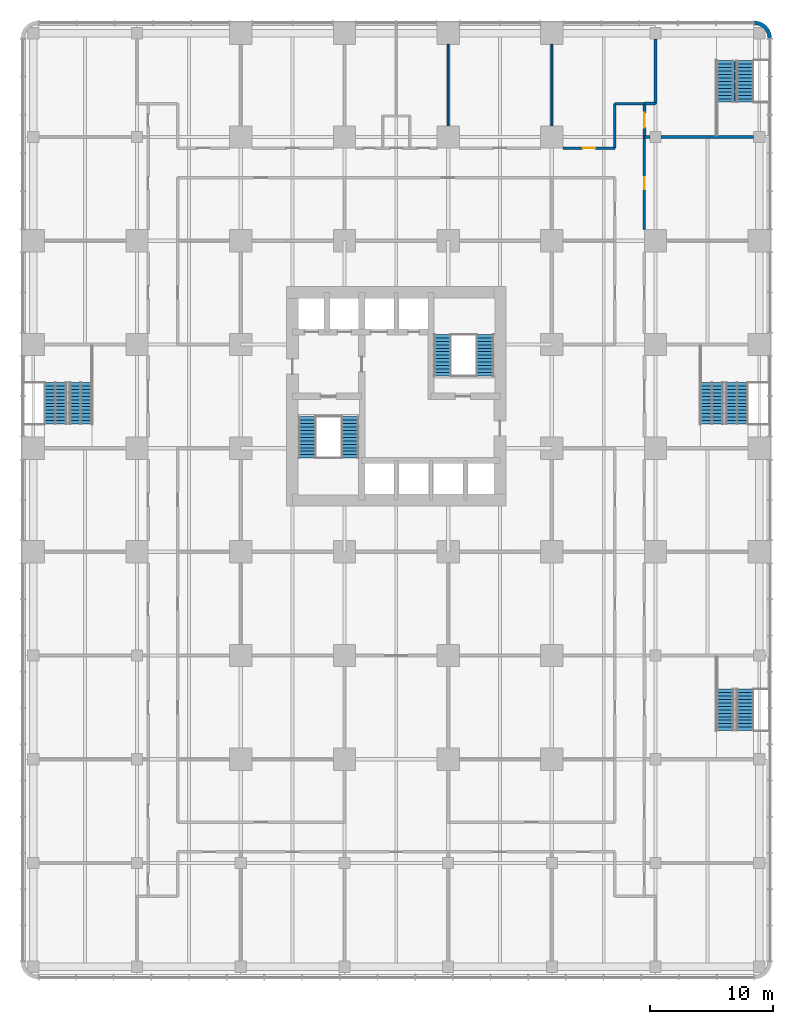
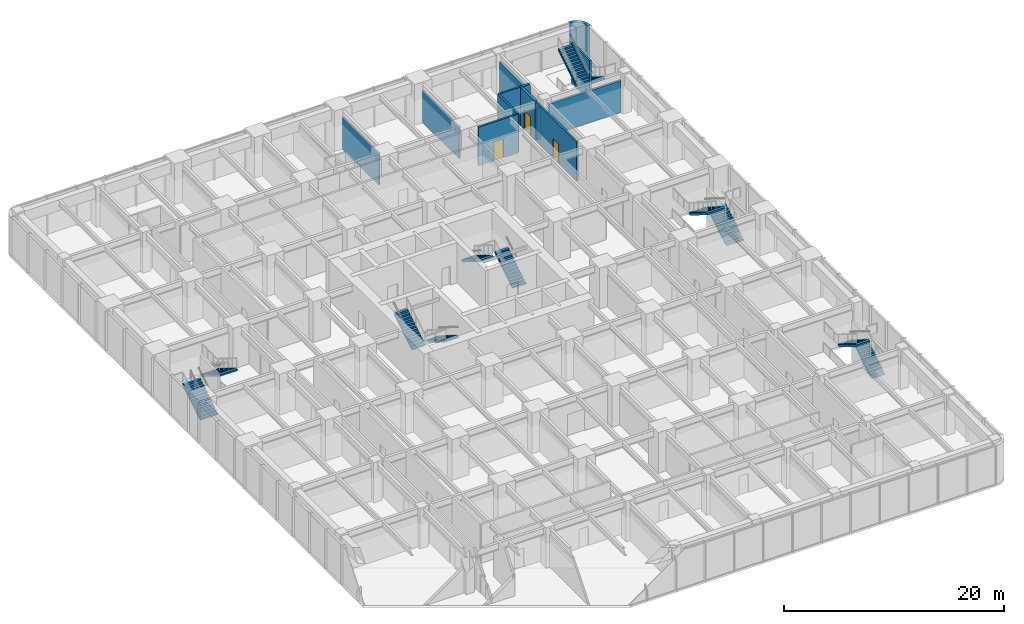
# One storey, part 15 of 19: 13 walls, 12 stair flights, 3 doors, 3 openings, 6 elements without a shape of their own.
"""IFC4 building model written with IfcOpenShell, lengths in metres."""

from ifc_helpers import new_model, si_unit, direction, frame, frame_2d, origin, place, context, subcontext, project, spatial, polyline, rectangle, outline, extrude, material, layer, layer_set, type_object, element, fill, aggregate, save


model = new_model("IFC4")

# Units and contexts
model_context = context("Model", 3, precision=1e-05, world=origin(), true_north=direction((0.0, 1.0)))
body_context = subcontext(model_context, "Body", "Model", "MODEL_VIEW")
ifc_project = project(units=[si_unit("LENGTHUNIT", "METRE"), si_unit("AREAUNIT", "SQUARE_METRE"), si_unit("VOLUMEUNIT", "CUBIC_METRE"), si_unit("PLANEANGLEUNIT", "RADIAN"), si_unit("MASSUNIT", "GRAM", prefix="KILO")], contexts=[model_context])

# Site, building, storey
site_placement = place(None, origin())
site = spatial("IfcSite", under=ifc_project, at=site_placement, CompositionType="ELEMENT")
building_placement = place(site_placement, origin())
building = spatial("IfcBuilding", under=site, at=building_placement, Name="Torre Alcanfor", CompositionType="ELEMENT")
storey_placement = place(building_placement, frame((0.0, 0.0, 6.0)))
storey = spatial("IfcBuildingStorey", under=building, at=storey_placement, Name="L01", CompositionType="ELEMENT", Elevation=6.0)

# Walls
ifc_material_1 = material(Name="Concrete block masonry, hollow blocks NMX-C-404 9 MPa", Category="masonry")
ifc_layer_1 = layer(ifc_material_1, 0.14990234375)
ifc_layer_set_1 = layer_set([ifc_layer_1], Name="Classroom partition 150")
wall_type_1 = type_object("IfcWallType", Name="Classroom partition 150", PredefinedType="PARTITIONING", material=ifc_layer_set_1)
wall_1_placement = place(storey_placement, frame((42.0, 57.89990234375, 0.0), z_axis=(0.0, 0.0, 1.0), x_axis=(0.0, -1.0, 0.0)))
element("IfcWall", 1, at=wall_1_placement, inside=storey, type_object=wall_type_1, Name="Partition L01-21 / L01-25", PredefinedType="PARTITIONING", context=body_context, shape_type="SweptSolid", body=[
    extrude(rectangle(XDim=6.599853515625, YDim=0.14990234375, at=frame_2d((3.2998046875, 0.0))), origin(), (0.0, 0.0, 1.0), 3.543212890625),
])
ifc_material_2 = material(Name="Limestone cladding", Category="masonry")
ifc_layer_2 = layer(ifc_material_2, 0.0400390625, Name="Facing")
ifc_material_3 = material(Name="Ventilated air cavity")
ifc_layer_3 = layer(ifc_material_3, 0.02001953125, ventilated=True, Name="Ventilated joint")
ifc_material_4 = material(Name="Mineral wool insulation", Category="insulation")
ifc_layer_4 = layer(ifc_material_4, 0.10009765625, Name="Insulation")
ifc_material_5 = material(Name="Concrete f'c 35 MPa", Category="concrete")
ifc_layer_5 = layer(ifc_material_5, 0.139892578125, Name="Backing")
ifc_layer_set_2 = layer_set([ifc_layer_2, ifc_layer_3, ifc_layer_4, ifc_layer_5], Name="Rounded corner pier stone-clad 300")
wall_type_2 = type_object("IfcWallType", Name="Rounded corner pier stone-clad 300", PredefinedType="SOLIDWALL", material=ifc_layer_set_2)
wall_2_placement = place(storey_placement, frame((59.647901787, 58.355188981, 0.0), z_axis=(0.0, 0.0, 1.0), x_axis=(0.707106781187, 0.707106781187, 0.0)))
element("IfcWall", 2, at=wall_2_placement, inside=storey, type_object=wall_type_2, Name="Corner pier L01 5", PredefinedType="SOLIDWALL", context=body_context, shape_type="SweptSolid", body=[
    extrude(outline(polyline([(0.13920132652713502, 1.90413906500536), (-0.10075922665872938, 1.7197664960826957), (-0.08677591384717909, 1.7057831832711454), (0.09966825697349269, 1.4627152272382697), (0.20929052407638765, 1.1980680847678162), (0.2464067247490213, 0.9140859912492929), (0.20929052407638762, 0.6301038977307699), (0.09966825697349269, 0.3654567552603164), (-0.08677591384717905, 0.12238879922744068), (-0.10075922665872943, 0.1084054864158903), (0.13920132652713513, -0.07596708250677396), (0.3615532635799362, 0.21405718321427095), (0.5015590251869406, 0.5519009260809882), (0.5492058688411122, 0.914085991249293), (0.5015590251869406, 1.2762710564175979), (0.3615532635799362, 1.614114799284315), (0.13920132652713502, 1.90413906500536)])), origin(), (0.0, 0.0, 1.0), 4.300048828125),
])

# Wall, opening, door
ifc_material_6 = material(Name="Concrete block masonry, hollow blocks NMX-C-404 9 MPa", Category="masonry")
ifc_layer_6 = layer(ifc_material_6, 0.199951171875)
ifc_layer_set_3 = layer_set([ifc_layer_6], Name="School corridor wall 200")
wall_type_3 = type_object("IfcWallType", Name="School corridor wall 200", PredefinedType="PARTITIONING", material=ifc_layer_set_3)
wall_3_placement = place(storey_placement, frame((49.5, 42.89990234375, 0.0), z_axis=(0.0, 0.0, 1.0), x_axis=(0.0, 1.0, 0.0)))
wall_3 = element("IfcWall", 3, at=wall_3_placement, inside=storey, type_object=wall_type_3, Name="Partition L01-19 / L01-CORR", PredefinedType="PARTITIONING", context=body_context, shape_type="SweptSolid", body=[
    extrude(rectangle(XDim=7.5, YDim=0.199951171875, at=frame_2d((3.75, 0.0))), origin(), (0.0, 0.0, 1.0), 4.300048828125),
])
opening_1_placement = place(wall_3_placement, frame((3.25, 0.0, 0.0)))
opening_1 = element("IfcOpeningElement", 4, at=opening_1_placement, cuts=wall_3, Name="Opening D-C1", PredefinedType="OPENING", context=body_context, shape_type="SweptSolid", body=[
    extrude(rectangle(XDim=1.0, YDim=2.10009765625, at=frame_2d((0.5, 1.050048828125))), frame((0.0, 0.10986328125, 0.0), z_axis=(0.0, -1.0, 0.0), x_axis=(1.0, 0.0, 0.0)), (0.0, 0.0, 1.0), 0.219970703125),
])
ifc_material_7 = material(Name="Timber", Category="wood")
door_type_1 = type_object("IfcDoorType", Name="Classroom door 1000x2100", OperationType="SINGLE_SWING_RIGHT", PredefinedType="DOOR", material=ifc_material_7)
door_1_placement = place(opening_1_placement, frame((1.0, 0.0, 0.0), z_axis=(0.0, 0.0, 1.0), x_axis=(-1.0, 0.0, 0.0)))
door_1 = element("IfcDoor", 5, at=door_1_placement, inside=storey, type_object=door_type_1, Name="Door L01-19 classroom", OperationType="SINGLE_SWING_RIGHT", OverallHeight=2.10009765625, OverallWidth=1.0, PredefinedType="DOOR", context=body_context, shape_type="SweptSolid", body=[
    extrude(rectangle(XDim=1.0, YDim=2.10009765625, at=frame_2d((0.5, 1.050048828125))), frame((0.0, 0.025146484375, 0.0), z_axis=(0.0, -1.0, 0.0), x_axis=(1.0, 0.0, 0.0)), (0.0, 0.0, 1.0), 0.050048828125),
])
fill(opening_1, door_1)

# Walls
wall_4_placement = place(storey_placement, frame((49.5, 53.10009765625, 0.0), z_axis=(0.0, 0.0, 1.0), x_axis=(-1.0, 0.0, 0.0)))
element("IfcWall", 6, at=wall_4_placement, inside=storey, type_object=wall_type_3, Name="Partition L01-25 / L01-CORR", PredefinedType="PARTITIONING", context=body_context, shape_type="SweptSolid", body=[
    extrude(rectangle(XDim=2.39990234375, YDim=0.199951171875, at=frame_2d((1.199951171875, 0.0))), origin(), (0.0, 0.0, 1.0), 4.300048828125),
])
wall_5_placement = place(storey_placement, frame((47.10009765625, 53.10009765625, 0.0), z_axis=(0.0, 0.0, 1.0), x_axis=(0.0, -1.0, 0.0)))
element("IfcWall", 7, at=wall_5_placement, inside=storey, type_object=wall_type_3, Name="Partition L01-25 / L01-CORR", PredefinedType="PARTITIONING", context=body_context, shape_type="SweptSolid", body=[
    extrude(rectangle(XDim=3.60009765625, YDim=0.199951171875, at=frame_2d((1.800048828125, 0.0))), origin(), (0.0, 0.0, 1.0), 4.300048828125),
])

# Wall, opening, door
wall_6_placement = place(storey_placement, frame((47.10009765625, 49.5, 0.0), z_axis=(0.0, 0.0, 1.0), x_axis=(-1.0, 0.0, 0.0)))
wall_6 = element("IfcWall", 8, at=wall_6_placement, inside=storey, type_object=wall_type_3, Name="Partition L01-25 / L01-CORR", PredefinedType="PARTITIONING", context=body_context, shape_type="SweptSolid", body=[
    extrude(rectangle(XDim=4.2001953125, YDim=0.199951171875, at=frame_2d((2.10009765625, 0.0))), origin(), (0.0, 0.0, 1.0), 4.300048828125),
])
opening_2_placement = place(wall_6_placement, frame((1.60009765625, 0.0, 0.0)))
opening_2 = element("IfcOpeningElement", 9, at=opening_2_placement, cuts=wall_6, Name="Opening D-C1", PredefinedType="OPENING", context=body_context, shape_type="SweptSolid", body=[
    extrude(rectangle(XDim=1.0, YDim=2.10009765625, at=frame_2d((0.5, 1.050048828125))), frame((0.0, 0.10986328125, 0.0), z_axis=(0.0, -1.0, 0.0), x_axis=(1.0, 0.0, 0.0)), (0.0, 0.0, 1.0), 0.219970703125),
])
door_2_placement = place(opening_2_placement, frame((1.0, 0.0, 0.0), z_axis=(0.0, 0.0, 1.0), x_axis=(-1.0, 0.0, 0.0)))
door_2 = element("IfcDoor", 10, at=door_2_placement, inside=storey, type_object=door_type_1, Name="Door L01-25 classroom", OperationType="SINGLE_SWING_RIGHT", OverallHeight=2.10009765625, OverallWidth=1.0, PredefinedType="DOOR", context=body_context, shape_type="SweptSolid", body=[
    extrude(rectangle(XDim=1.0, YDim=2.10009765625, at=frame_2d((0.5, 1.050048828125))), frame((0.0, 0.025146484375, 0.0), z_axis=(0.0, -1.0, 0.0), x_axis=(1.0, 0.0, 0.0)), (0.0, 0.0, 1.0), 0.050048828125),
])
fill(opening_2, door_2)

# Walls
ifc_material_8 = material(Name="Reinforced concrete block masonry, hollow blocks NMX-C-404 9 MPa", Category="masonry")
ifc_layer_7 = layer(ifc_material_8, 0.25)
ifc_layer_set_4 = layer_set([ifc_layer_7], Name="Stair enclosure wall 250 EI 120")
wall_type_4 = type_object("IfcWallType", Name="Stair enclosure wall 250 EI 120", PredefinedType="SOLIDWALL", material=ifc_layer_set_4)
wall_7_placement = place(storey_placement, frame((49.949951171875, 50.39990234375, 0.0), z_axis=(0.0, 0.0, 1.0), x_axis=(-1.0, 0.0, 0.0)))
element("IfcWall", 11, at=wall_7_placement, inside=storey, type_object=wall_type_4, Name="Partition L01-SS4 / L01-19", PredefinedType="SOLIDWALL", context=body_context, shape_type="SweptSolid", body=[
    extrude(rectangle(XDim=0.449951171875, YDim=0.25, at=frame_2d((0.22509765625, 0.0))), origin(), (0.0, 0.0, 1.0), 3.543212890625),
])
wall_8_placement = place(storey_placement, frame((58.35009765625, 50.39990234375, 0.0), z_axis=(0.0, 0.0, 1.0), x_axis=(-1.0, 0.0, 0.0)))
element("IfcWall", 12, at=wall_8_placement, inside=storey, type_object=wall_type_4, Name="Partition L01-SS4 / L01-19", PredefinedType="SOLIDWALL", context=body_context, shape_type="SweptSolid", body=[
    extrude(rectangle(XDim=7.5, YDim=0.25, at=frame_2d((3.75, 0.0))), origin(), (0.0, 0.0, 1.0), 3.543212890625),
])
wall_9_placement = place(storey_placement, frame((49.5, 53.10009765625, 0.0), z_axis=(0.0, 0.0, 1.0), x_axis=(1.0, 0.0, 0.0)))
element("IfcWall", 13, at=wall_9_placement, inside=storey, type_object=wall_type_4, Name="Partition L01-SS4 / L01-25", PredefinedType="SOLIDWALL", context=body_context, shape_type="SweptSolid", body=[
    extrude(rectangle(XDim=0.89990234375, YDim=0.25, at=frame_2d((0.449951171875, 0.0))), origin(), (0.0, 0.0, 1.0), 4.300048828125),
])
wall_10_placement = place(storey_placement, frame((50.39990234375, 53.10009765625, 0.0), z_axis=(0.0, 0.0, 1.0), x_axis=(0.0, 1.0, 0.0)))
element("IfcWall", 14, at=wall_10_placement, inside=storey, type_object=wall_type_4, Name="Partition L01-SS4 / L01-25", PredefinedType="SOLIDWALL", context=body_context, shape_type="SweptSolid", body=[
    extrude(rectangle(XDim=5.25, YDim=0.25, at=frame_2d((2.625, 0.0))), origin(), (0.0, 0.0, 1.0), 3.543212890625),
])

# Wall, opening, door
wall_11_placement = place(storey_placement, frame((49.5, 50.39990234375, 0.0), z_axis=(0.0, 0.0, 1.0), x_axis=(0.0, 1.0, 0.0)))
wall_11 = element("IfcWall", 15, at=wall_11_placement, inside=storey, type_object=wall_type_4, Name="Partition L01-SS4 / L01-CORR", PredefinedType="SOLIDWALL", context=body_context, shape_type="SweptSolid", body=[
    extrude(rectangle(XDim=2.7001953125, YDim=0.25, at=frame_2d((1.35009765625, 0.0))), origin(), (0.0, 0.0, 1.0), 4.300048828125),
])
opening_3_placement = place(wall_11_placement, frame((0.75, 0.0, 0.0)))
opening_3 = element("IfcOpeningElement", 16, at=opening_3_placement, cuts=wall_11, Name="Opening D-L1", PredefinedType="OPENING", context=body_context, shape_type="SweptSolid", body=[
    extrude(rectangle(XDim=1.199951171875, YDim=2.10009765625, at=frame_2d((0.60009765625, 1.050048828125))), frame((0.0, 0.135009765625, 0.0), z_axis=(0.0, -1.0, 0.0), x_axis=(1.0, 0.0, 0.0)), (0.0, 0.0, 1.0), 0.27001953125),
])
ifc_material_9 = material(Name="Galvanised steel sheet ASTM A653", Category="steel")
door_type_2 = type_object("IfcDoorType", Name="Lobby door FD120 1200x2100", OperationType="SINGLE_SWING_LEFT", PredefinedType="DOOR", material=ifc_material_9)
door_3_placement = place(opening_3_placement, frame((1.199951171875, 0.0, 0.0), z_axis=(0.0, 0.0, 1.0), x_axis=(-1.0, 0.0, 0.0)))
door_3 = element("IfcDoor", 17, at=door_3_placement, inside=storey, type_object=door_type_2, Name="Door L01-SS4 school stair ss4", OperationType="SINGLE_SWING_RIGHT", OverallHeight=2.10009765625, OverallWidth=1.199951171875, PredefinedType="DOOR", context=body_context, shape_type="SweptSolid", body=[
    extrude(rectangle(XDim=1.199951171875, YDim=2.10009765625, at=frame_2d((0.599853515625, 1.050048828125))), frame((0.0, 0.025146484375, 0.0), z_axis=(0.0, -1.0, 0.0), x_axis=(1.0, 0.0, 0.0)), (0.0, 0.0, 1.0), 0.050048828125),
])
fill(opening_3, door_3)

# Walls
ifc_material_10 = material(Name="Concrete f'c 35 MPa", Category="concrete")
ifc_layer_8 = layer(ifc_material_10, 0.199951171875)
ifc_layer_set_5 = layer_set([ifc_layer_8], Name="Stair spine wall 200")
wall_type_5 = type_object("IfcWallType", Name="Stair spine wall 200", PredefinedType="SOLIDWALL", material=ifc_layer_set_5)
wall_12_placement = place(storey_placement, frame((56.85009765625, 56.52490234375, 0.0), z_axis=(0.0, 0.0, 1.0), x_axis=(0.0, -1.0, 0.0)))
element("IfcWall", 18, at=wall_12_placement, inside=storey, type_object=wall_type_5, Name="Stair spine wall SS4 L01", PredefinedType="SOLIDWALL", context=body_context, shape_type="SweptSolid", body=[
    extrude(rectangle(XDim=3.260009765625, YDim=0.199951171875, at=frame_2d((1.6298828125, 0.0))), origin(), (0.0, 0.0, 1.0), 4.5),
])
ifc_material_11 = material(Name="Cement board on steel studs", Category="steel")
ifc_layer_9 = layer(ifc_material_11, 0.14990234375)
ifc_layer_set_6 = layer_set([ifc_layer_9], Name="Wet area partition 150")
wall_type_6 = type_object("IfcWallType", Name="Wet area partition 150", PredefinedType="PARTITIONING", material=ifc_layer_set_6)
wall_13_placement = place(storey_placement, frame((33.60009765625, 57.89990234375, 0.0), z_axis=(0.0, 0.0, 1.0), x_axis=(0.0, -1.0, 0.0)))
element("IfcWall", 19, at=wall_13_placement, inside=storey, type_object=wall_type_6, Name="Partition L01-WCN3 / L01-21", PredefinedType="PARTITIONING", context=body_context, shape_type="SweptSolid", body=[
    extrude(rectangle(XDim=6.599853515625, YDim=0.14990234375, at=frame_2d((3.2998046875, 0.0))), origin(), (0.0, 0.0, 1.0), 3.543212890625),
])

# Stair, stair flights
ifc_material_12 = material(Name="Concrete f'c 35 MPa", Category="concrete")
stair_type_1 = type_object("IfcStairType", Name="Exit stair S1 1400 wide", PredefinedType="HALF_TURN_STAIR", material=ifc_material_12)
stair_1_placement = place(storey_placement, origin())
stair_1 = element("IfcStair", 20, at=stair_1_placement, inside=storey, type_object=stair_type_1, Name="Stair S1 L01 to L02", PredefinedType="HALF_TURN_STAIR")
ifc_material_13 = material(Name="Concrete f'c 35 MPa", Category="concrete")
stair_flight_type_1 = type_object("IfcStairFlightType", Name="Stair flight 1400", PredefinedType="STRAIGHT", material=ifc_material_13)
stair_flight_1_placement = place(storey_placement, frame((25.64990234375, 27.75, 0.0), z_axis=(0.0, 0.0, 1.0), x_axis=(0.0, -1.0, 0.0)))
stair_flight_1 = element("IfcStairFlight", 21, at=stair_flight_1_placement, type_object=stair_flight_type_1, Name="S1 flight 1", NumberOfRisers=13, NumberOfTreads=12, PredefinedType="STRAIGHT", RiserHeight=0.173076923, TreadLength=0.28, context=body_context, shape_type="SweptSolid", body=[
    extrude(outline(polyline([(0.0, 0.0), (0.0, 0.173095703125), (0.280029296875, 0.173095703125), (0.280029296875, 0.34619140625), (0.56005859375, 0.34619140625), (0.56005859375, 0.519287109375), (0.840087890625, 0.519287109375), (0.840087890625, 0.6923828125), (1.1201171875, 0.6923828125), (1.1201171875, 0.865478515625), (1.39990234375, 0.865478515625), (1.39990234375, 1.03857421875), (1.679931640625, 1.03857421875), (1.679931640625, 1.21142578125), (1.9599609375, 1.21142578125), (1.9599609375, 1.384521484375), (2.239990234375, 1.384521484375), (2.239990234375, 1.5576171875), (2.52001953125, 1.5576171875), (2.52001953125, 1.730712890625), (2.800048828125, 1.730712890625), (2.800048828125, 1.90380859375), (3.080078125, 1.90380859375), (3.080078125, 2.076904296875), (3.360107421875, 2.076904296875), (3.360107421875, 2.25), (3.360107421875, 1.900634765625), (0.28515625, 0.0), (0.0, 0.0)])), frame((0.0, 0.699951171875, 0.0), z_axis=(0.0, -1.0, 0.0), x_axis=(1.0, 0.0, 0.0)), (0.0, 0.0, 1.0), 1.39990234375),
])
stair_flight_2_placement = place(storey_placement, frame((22.199951171875, 24.389892578125, 2.25), z_axis=(0.0, 0.0, 1.0), x_axis=(0.0, 1.0, 0.0)))
stair_flight_2 = element("IfcStairFlight", 22, at=stair_flight_2_placement, type_object=stair_flight_type_1, Name="S1 flight 2", NumberOfRisers=13, NumberOfTreads=12, PredefinedType="STRAIGHT", RiserHeight=0.173076923, TreadLength=0.28, context=body_context, shape_type="SweptSolid", body=[
    extrude(outline(polyline([(0.0, 0.0), (0.0, 0.173095703125), (0.280029296875, 0.173095703125), (0.280029296875, 0.34619140625), (0.56005859375, 0.34619140625), (0.56005859375, 0.519287109375), (0.840087890625, 0.519287109375), (0.840087890625, 0.6923828125), (1.1201171875, 0.6923828125), (1.1201171875, 0.865478515625), (1.39990234375, 0.865478515625), (1.39990234375, 1.03857421875), (1.679931640625, 1.03857421875), (1.679931640625, 1.21142578125), (1.9599609375, 1.21142578125), (1.9599609375, 1.384521484375), (2.239990234375, 1.384521484375), (2.239990234375, 1.5576171875), (2.52001953125, 1.5576171875), (2.52001953125, 1.730712890625), (2.800048828125, 1.730712890625), (2.800048828125, 1.90380859375), (3.080078125, 1.90380859375), (3.080078125, 2.076904296875), (3.360107421875, 2.076904296875), (3.360107421875, 2.25), (3.360107421875, 1.900634765625), (0.28515625, 0.0), (0.0, 0.0)])), frame((0.0, 0.699951171875, 0.0), z_axis=(0.0, -1.0, 0.0), x_axis=(1.0, 0.0, 0.0)), (0.0, 0.0, 1.0), 1.39990234375),
])
aggregate(stair_1, [stair_flight_1, stair_flight_2])

ifc_material_14 = material(Name="Concrete f'c 35 MPa", Category="concrete")
stair_type_2 = type_object("IfcStairType", Name="Exit stair S2 1400 wide", PredefinedType="HALF_TURN_STAIR", material=ifc_material_14)
stair_2_placement = place(storey_placement, origin())
stair_2 = element("IfcStair", 23, at=stair_2_placement, inside=storey, type_object=stair_type_2, Name="Stair S2 L01 to L02", PredefinedType="HALF_TURN_STAIR")
stair_flight_3_placement = place(storey_placement, frame((36.60009765625, 31.050048828125, 0.0), z_axis=(0.0, 0.0, 1.0), x_axis=(0.0, 1.0, 0.0)))
stair_flight_3 = element("IfcStairFlight", 24, at=stair_flight_3_placement, type_object=stair_flight_type_1, Name="S2 flight 1", NumberOfRisers=13, NumberOfTreads=12, PredefinedType="STRAIGHT", RiserHeight=0.173076923, TreadLength=0.28, context=body_context, shape_type="SweptSolid", body=[
    extrude(outline(polyline([(0.0, 0.0), (0.0, 0.173095703125), (0.280029296875, 0.173095703125), (0.280029296875, 0.34619140625), (0.56005859375, 0.34619140625), (0.56005859375, 0.519287109375), (0.840087890625, 0.519287109375), (0.840087890625, 0.6923828125), (1.1201171875, 0.6923828125), (1.1201171875, 0.865478515625), (1.39990234375, 0.865478515625), (1.39990234375, 1.03857421875), (1.679931640625, 1.03857421875), (1.679931640625, 1.21142578125), (1.9599609375, 1.21142578125), (1.9599609375, 1.384521484375), (2.239990234375, 1.384521484375), (2.239990234375, 1.5576171875), (2.52001953125, 1.5576171875), (2.52001953125, 1.730712890625), (2.800048828125, 1.730712890625), (2.800048828125, 1.90380859375), (3.080078125, 1.90380859375), (3.080078125, 2.076904296875), (3.360107421875, 2.076904296875), (3.360107421875, 2.25), (3.360107421875, 1.900634765625), (0.28515625, 0.0), (0.0, 0.0)])), frame((0.0, 0.699951171875, 0.0), z_axis=(0.0, -1.0, 0.0), x_axis=(1.0, 0.0, 0.0)), (0.0, 0.0, 1.0), 1.39990234375),
])
stair_flight_4_placement = place(storey_placement, frame((33.14990234375, 34.409912109375, 2.25), z_axis=(0.0, 0.0, 1.0), x_axis=(0.0, -1.0, 0.0)))
stair_flight_4 = element("IfcStairFlight", 25, at=stair_flight_4_placement, type_object=stair_flight_type_1, Name="S2 flight 2", NumberOfRisers=13, NumberOfTreads=12, PredefinedType="STRAIGHT", RiserHeight=0.173076923, TreadLength=0.28, context=body_context, shape_type="SweptSolid", body=[
    extrude(outline(polyline([(0.0, 0.0), (0.0, 0.173095703125), (0.280029296875, 0.173095703125), (0.280029296875, 0.34619140625), (0.56005859375, 0.34619140625), (0.56005859375, 0.519287109375), (0.840087890625, 0.519287109375), (0.840087890625, 0.6923828125), (1.1201171875, 0.6923828125), (1.1201171875, 0.865478515625), (1.39990234375, 0.865478515625), (1.39990234375, 1.03857421875), (1.679931640625, 1.03857421875), (1.679931640625, 1.21142578125), (1.9599609375, 1.21142578125), (1.9599609375, 1.384521484375), (2.239990234375, 1.384521484375), (2.239990234375, 1.5576171875), (2.52001953125, 1.5576171875), (2.52001953125, 1.730712890625), (2.800048828125, 1.730712890625), (2.800048828125, 1.90380859375), (3.080078125, 1.90380859375), (3.080078125, 2.076904296875), (3.360107421875, 2.076904296875), (3.360107421875, 2.25), (3.360107421875, 1.900634765625), (0.28515625, 0.0), (0.0, 0.0)])), frame((0.0, 0.699951171875, 0.0), z_axis=(0.0, -1.0, 0.0), x_axis=(1.0, 0.0, 0.0)), (0.0, 0.0, 1.0), 1.39990234375),
])
aggregate(stair_2, [stair_flight_3, stair_flight_4])

ifc_material_15 = material(Name="Concrete f'c 35 MPa", Category="concrete")
stair_type_3 = type_object("IfcStairType", Name="Exit stair SS3 1400 wide", PredefinedType="HALF_TURN_STAIR", material=ifc_material_15)
stair_3_placement = place(storey_placement, origin())
stair_3 = element("IfcStair", 26, at=stair_3_placement, inside=storey, type_object=stair_type_3, Name="Stair SS3 L01 to L02", PredefinedType="HALF_TURN_STAIR")
stair_flight_5_placement = place(storey_placement, frame((57.64990234375, 2.324951171875, 0.0), z_axis=(0.0, 0.0, 1.0), x_axis=(0.0, 1.0, 0.0)))
stair_flight_5 = element("IfcStairFlight", 27, at=stair_flight_5_placement, type_object=stair_flight_type_1, Name="SS3 flight 1", NumberOfRisers=13, NumberOfTreads=12, PredefinedType="STRAIGHT", RiserHeight=0.173076923, TreadLength=0.28, context=body_context, shape_type="SweptSolid", body=[
    extrude(outline(polyline([(0.0, 0.0), (0.0, 0.173095703125), (0.280029296875, 0.173095703125), (0.280029296875, 0.34619140625), (0.56005859375, 0.34619140625), (0.56005859375, 0.519287109375), (0.840087890625, 0.519287109375), (0.840087890625, 0.6923828125), (1.1201171875, 0.6923828125), (1.1201171875, 0.865478515625), (1.39990234375, 0.865478515625), (1.39990234375, 1.03857421875), (1.679931640625, 1.03857421875), (1.679931640625, 1.21142578125), (1.9599609375, 1.21142578125), (1.9599609375, 1.384521484375), (2.239990234375, 1.384521484375), (2.239990234375, 1.5576171875), (2.52001953125, 1.5576171875), (2.52001953125, 1.730712890625), (2.800048828125, 1.730712890625), (2.800048828125, 1.90380859375), (3.080078125, 1.90380859375), (3.080078125, 2.076904296875), (3.360107421875, 2.076904296875), (3.360107421875, 2.25), (3.360107421875, 1.900634765625), (0.28515625, 0.0), (0.0, 0.0)])), frame((0.0, 0.699951171875, 0.0), z_axis=(0.0, -1.0, 0.0), x_axis=(1.0, 0.0, 0.0)), (0.0, 0.0, 1.0), 1.39990234375),
])
stair_flight_6_placement = place(storey_placement, frame((56.050048828125, 5.68505859375, 2.25), z_axis=(0.0, 0.0, 1.0), x_axis=(0.0, -1.0, 0.0)))
stair_flight_6 = element("IfcStairFlight", 28, at=stair_flight_6_placement, type_object=stair_flight_type_1, Name="SS3 flight 2", NumberOfRisers=13, NumberOfTreads=12, PredefinedType="STRAIGHT", RiserHeight=0.173076923, TreadLength=0.28, context=body_context, shape_type="SweptSolid", body=[
    extrude(outline(polyline([(0.0, 0.0), (0.0, 0.173095703125), (0.280029296875, 0.173095703125), (0.280029296875, 0.34619140625), (0.56005859375, 0.34619140625), (0.56005859375, 0.519287109375), (0.840087890625, 0.519287109375), (0.840087890625, 0.6923828125), (1.1201171875, 0.6923828125), (1.1201171875, 0.865478515625), (1.39990234375, 0.865478515625), (1.39990234375, 1.03857421875), (1.679931640625, 1.03857421875), (1.679931640625, 1.21142578125), (1.9599609375, 1.21142578125), (1.9599609375, 1.384521484375), (2.239990234375, 1.384521484375), (2.239990234375, 1.5576171875), (2.52001953125, 1.5576171875), (2.52001953125, 1.730712890625), (2.800048828125, 1.730712890625), (2.800048828125, 1.90380859375), (3.080078125, 1.90380859375), (3.080078125, 2.076904296875), (3.360107421875, 2.076904296875), (3.360107421875, 2.25), (3.360107421875, 1.900634765625), (0.28515625, 0.0), (0.0, 0.0)])), frame((0.0, 0.699951171875, 0.0), z_axis=(0.0, -1.0, 0.0), x_axis=(1.0, 0.0, 0.0)), (0.0, 0.0, 1.0), 1.39990234375),
])
aggregate(stair_3, [stair_flight_5, stair_flight_6])

ifc_material_16 = material(Name="Concrete f'c 35 MPa", Category="concrete")
stair_type_4 = type_object("IfcStairType", Name="Exit stair SS4 1400 wide", PredefinedType="HALF_TURN_STAIR", material=ifc_material_16)
stair_4_placement = place(storey_placement, origin())
stair_4 = element("IfcStair", 29, at=stair_4_placement, inside=storey, type_object=stair_type_4, Name="Stair SS4 L01 to L02", PredefinedType="HALF_TURN_STAIR")
stair_flight_7_placement = place(storey_placement, frame((57.64990234375, 56.574951171875, 0.0), z_axis=(0.0, 0.0, 1.0), x_axis=(0.0, -1.0, 0.0)))
stair_flight_7 = element("IfcStairFlight", 30, at=stair_flight_7_placement, type_object=stair_flight_type_1, Name="SS4 flight 1", NumberOfRisers=13, NumberOfTreads=12, PredefinedType="STRAIGHT", RiserHeight=0.173076923, TreadLength=0.28, context=body_context, shape_type="SweptSolid", body=[
    extrude(outline(polyline([(0.0, 0.0), (0.0, 0.173095703125), (0.280029296875, 0.173095703125), (0.280029296875, 0.34619140625), (0.56005859375, 0.34619140625), (0.56005859375, 0.519287109375), (0.840087890625, 0.519287109375), (0.840087890625, 0.6923828125), (1.1201171875, 0.6923828125), (1.1201171875, 0.865478515625), (1.39990234375, 0.865478515625), (1.39990234375, 1.03857421875), (1.679931640625, 1.03857421875), (1.679931640625, 1.21142578125), (1.9599609375, 1.21142578125), (1.9599609375, 1.384521484375), (2.239990234375, 1.384521484375), (2.239990234375, 1.5576171875), (2.52001953125, 1.5576171875), (2.52001953125, 1.730712890625), (2.800048828125, 1.730712890625), (2.800048828125, 1.90380859375), (3.080078125, 1.90380859375), (3.080078125, 2.076904296875), (3.360107421875, 2.076904296875), (3.360107421875, 2.25), (3.360107421875, 1.900634765625), (0.28515625, 0.0), (0.0, 0.0)])), frame((0.0, 0.699951171875, 0.0), z_axis=(0.0, -1.0, 0.0), x_axis=(1.0, 0.0, 0.0)), (0.0, 0.0, 1.0), 1.39990234375),
])
stair_flight_8_placement = place(storey_placement, frame((56.050048828125, 53.215087890625, 2.25), z_axis=(0.0, 0.0, 1.0), x_axis=(0.0, 1.0, 0.0)))
stair_flight_8 = element("IfcStairFlight", 31, at=stair_flight_8_placement, type_object=stair_flight_type_1, Name="SS4 flight 2", NumberOfRisers=13, NumberOfTreads=12, PredefinedType="STRAIGHT", RiserHeight=0.173076923, TreadLength=0.28, context=body_context, shape_type="SweptSolid", body=[
    extrude(outline(polyline([(0.0, 0.0), (0.0, 0.173095703125), (0.280029296875, 0.173095703125), (0.280029296875, 0.34619140625), (0.56005859375, 0.34619140625), (0.56005859375, 0.519287109375), (0.840087890625, 0.519287109375), (0.840087890625, 0.6923828125), (1.1201171875, 0.6923828125), (1.1201171875, 0.865478515625), (1.39990234375, 0.865478515625), (1.39990234375, 1.03857421875), (1.679931640625, 1.03857421875), (1.679931640625, 1.21142578125), (1.9599609375, 1.21142578125), (1.9599609375, 1.384521484375), (2.239990234375, 1.384521484375), (2.239990234375, 1.5576171875), (2.52001953125, 1.5576171875), (2.52001953125, 1.730712890625), (2.800048828125, 1.730712890625), (2.800048828125, 1.90380859375), (3.080078125, 1.90380859375), (3.080078125, 2.076904296875), (3.360107421875, 2.076904296875), (3.360107421875, 2.25), (3.360107421875, 1.900634765625), (0.28515625, 0.0), (0.0, 0.0)])), frame((0.0, 0.699951171875, 0.0), z_axis=(0.0, -1.0, 0.0), x_axis=(1.0, 0.0, 0.0)), (0.0, 0.0, 1.0), 1.39990234375),
])
aggregate(stair_4, [stair_flight_7, stair_flight_8])

ifc_material_17 = material(Name="Concrete f'c 35 MPa", Category="concrete")
stair_type_5 = type_object("IfcStairType", Name="Exit stair SS1 1830 wide", PredefinedType="HALF_TURN_STAIR", material=ifc_material_17)
stair_5_placement = place(storey_placement, origin())
stair_5 = element("IfcStair", 32, at=stair_5_placement, inside=storey, type_object=stair_type_5, Name="Stair SS1 L01 to L02", PredefinedType="HALF_TURN_STAIR")
ifc_material_18 = material(Name="Concrete f'c 35 MPa", Category="concrete")
stair_flight_type_2 = type_object("IfcStairFlightType", Name="Stair flight 1830", PredefinedType="STRAIGHT", material=ifc_material_18)
stair_flight_9_placement = place(storey_placement, frame((1.81494140625, 27.155029296875, 0.0), z_axis=(0.0, 0.0, 1.0), x_axis=(0.0, 1.0, 0.0)))
stair_flight_9 = element("IfcStairFlight", 33, at=stair_flight_9_placement, type_object=stair_flight_type_2, Name="SS1 flight 1", NumberOfRisers=13, NumberOfTreads=12, PredefinedType="STRAIGHT", RiserHeight=0.173076923, TreadLength=0.28, context=body_context, shape_type="SweptSolid", body=[
    extrude(outline(polyline([(0.0, 0.0), (0.0, 0.173095703125), (0.280029296875, 0.173095703125), (0.280029296875, 0.34619140625), (0.56005859375, 0.34619140625), (0.56005859375, 0.519287109375), (0.840087890625, 0.519287109375), (0.840087890625, 0.6923828125), (1.1201171875, 0.6923828125), (1.1201171875, 0.865478515625), (1.39990234375, 0.865478515625), (1.39990234375, 1.03857421875), (1.679931640625, 1.03857421875), (1.679931640625, 1.21142578125), (1.9599609375, 1.21142578125), (1.9599609375, 1.384521484375), (2.239990234375, 1.384521484375), (2.239990234375, 1.5576171875), (2.52001953125, 1.5576171875), (2.52001953125, 1.730712890625), (2.800048828125, 1.730712890625), (2.800048828125, 1.90380859375), (3.080078125, 1.90380859375), (3.080078125, 2.076904296875), (3.360107421875, 2.076904296875), (3.360107421875, 2.25), (3.360107421875, 1.900634765625), (0.28515625, 0.0), (0.0, 0.0)])), frame((0.0, 0.9150390625, 0.0), z_axis=(0.0, -1.0, 0.0), x_axis=(1.0, 0.0, 0.0)), (0.0, 0.0, 1.0), 1.830078125),
])
stair_flight_10_placement = place(storey_placement, frame((3.844970703125, 30.514892578125, 2.25), z_axis=(0.0, 0.0, 1.0), x_axis=(0.0, -1.0, 0.0)))
stair_flight_10 = element("IfcStairFlight", 34, at=stair_flight_10_placement, type_object=stair_flight_type_2, Name="SS1 flight 2", NumberOfRisers=13, NumberOfTreads=12, PredefinedType="STRAIGHT", RiserHeight=0.173076923, TreadLength=0.28, context=body_context, shape_type="SweptSolid", body=[
    extrude(outline(polyline([(0.0, 0.0), (0.0, 0.173095703125), (0.280029296875, 0.173095703125), (0.280029296875, 0.34619140625), (0.56005859375, 0.34619140625), (0.56005859375, 0.519287109375), (0.840087890625, 0.519287109375), (0.840087890625, 0.6923828125), (1.1201171875, 0.6923828125), (1.1201171875, 0.865478515625), (1.39990234375, 0.865478515625), (1.39990234375, 1.03857421875), (1.679931640625, 1.03857421875), (1.679931640625, 1.21142578125), (1.9599609375, 1.21142578125), (1.9599609375, 1.384521484375), (2.239990234375, 1.384521484375), (2.239990234375, 1.5576171875), (2.52001953125, 1.5576171875), (2.52001953125, 1.730712890625), (2.800048828125, 1.730712890625), (2.800048828125, 1.90380859375), (3.080078125, 1.90380859375), (3.080078125, 2.076904296875), (3.360107421875, 2.076904296875), (3.360107421875, 2.25), (3.360107421875, 1.900634765625), (0.28515625, 0.0), (0.0, 0.0)])), frame((0.0, 0.9150390625, 0.0), z_axis=(0.0, -1.0, 0.0), x_axis=(1.0, 0.0, 0.0)), (0.0, 0.0, 1.0), 1.830078125),
])
aggregate(stair_5, [stair_flight_9, stair_flight_10])

ifc_material_19 = material(Name="Concrete f'c 35 MPa", Category="concrete")
stair_type_6 = type_object("IfcStairType", Name="Exit stair SS2 1830 wide", PredefinedType="HALF_TURN_STAIR", material=ifc_material_19)
stair_6_placement = place(storey_placement, origin())
stair_6 = element("IfcStair", 35, at=stair_6_placement, inside=storey, type_object=stair_type_6, Name="Stair SS2 L01 to L02", PredefinedType="HALF_TURN_STAIR")
stair_flight_11_placement = place(storey_placement, frame((56.985107421875, 27.155029296875, 0.0), z_axis=(0.0, 0.0, 1.0), x_axis=(0.0, 1.0, 0.0)))
stair_flight_11 = element("IfcStairFlight", 36, at=stair_flight_11_placement, type_object=stair_flight_type_2, Name="SS2 flight 1", NumberOfRisers=13, NumberOfTreads=12, PredefinedType="STRAIGHT", RiserHeight=0.173076923, TreadLength=0.28, context=body_context, shape_type="SweptSolid", body=[
    extrude(outline(polyline([(0.0, 0.0), (0.0, 0.173095703125), (0.280029296875, 0.173095703125), (0.280029296875, 0.34619140625), (0.56005859375, 0.34619140625), (0.56005859375, 0.519287109375), (0.840087890625, 0.519287109375), (0.840087890625, 0.6923828125), (1.1201171875, 0.6923828125), (1.1201171875, 0.865478515625), (1.39990234375, 0.865478515625), (1.39990234375, 1.03857421875), (1.679931640625, 1.03857421875), (1.679931640625, 1.21142578125), (1.9599609375, 1.21142578125), (1.9599609375, 1.384521484375), (2.239990234375, 1.384521484375), (2.239990234375, 1.5576171875), (2.52001953125, 1.5576171875), (2.52001953125, 1.730712890625), (2.800048828125, 1.730712890625), (2.800048828125, 1.90380859375), (3.080078125, 1.90380859375), (3.080078125, 2.076904296875), (3.360107421875, 2.076904296875), (3.360107421875, 2.25), (3.360107421875, 1.900634765625), (0.28515625, 0.0), (0.0, 0.0)])), frame((0.0, 0.9150390625, 0.0), z_axis=(0.0, -1.0, 0.0), x_axis=(1.0, 0.0, 0.0)), (0.0, 0.0, 1.0), 1.830078125),
])
stair_flight_12_placement = place(storey_placement, frame((54.955078125, 30.514892578125, 2.25), z_axis=(0.0, 0.0, 1.0), x_axis=(0.0, -1.0, 0.0)))
stair_flight_12 = element("IfcStairFlight", 37, at=stair_flight_12_placement, type_object=stair_flight_type_2, Name="SS2 flight 2", NumberOfRisers=13, NumberOfTreads=12, PredefinedType="STRAIGHT", RiserHeight=0.173076923, TreadLength=0.28, context=body_context, shape_type="SweptSolid", body=[
    extrude(outline(polyline([(0.0, 0.0), (0.0, 0.173095703125), (0.280029296875, 0.173095703125), (0.280029296875, 0.34619140625), (0.56005859375, 0.34619140625), (0.56005859375, 0.519287109375), (0.840087890625, 0.519287109375), (0.840087890625, 0.6923828125), (1.1201171875, 0.6923828125), (1.1201171875, 0.865478515625), (1.39990234375, 0.865478515625), (1.39990234375, 1.03857421875), (1.679931640625, 1.03857421875), (1.679931640625, 1.21142578125), (1.9599609375, 1.21142578125), (1.9599609375, 1.384521484375), (2.239990234375, 1.384521484375), (2.239990234375, 1.5576171875), (2.52001953125, 1.5576171875), (2.52001953125, 1.730712890625), (2.800048828125, 1.730712890625), (2.800048828125, 1.90380859375), (3.080078125, 1.90380859375), (3.080078125, 2.076904296875), (3.360107421875, 2.076904296875), (3.360107421875, 2.25), (3.360107421875, 1.900634765625), (0.28515625, 0.0), (0.0, 0.0)])), frame((0.0, 0.9150390625, 0.0), z_axis=(0.0, -1.0, 0.0), x_axis=(1.0, 0.0, 0.0)), (0.0, 0.0, 1.0), 1.830078125),
])
aggregate(stair_6, [stair_flight_11, stair_flight_12])

save(model, "model.ifc")
